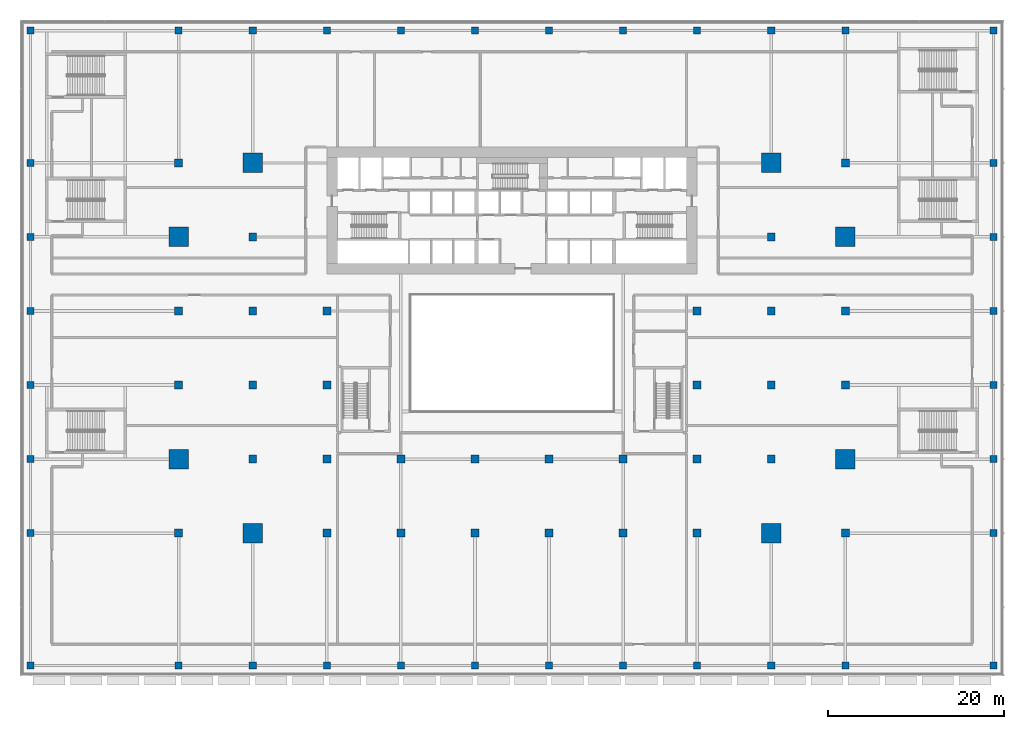
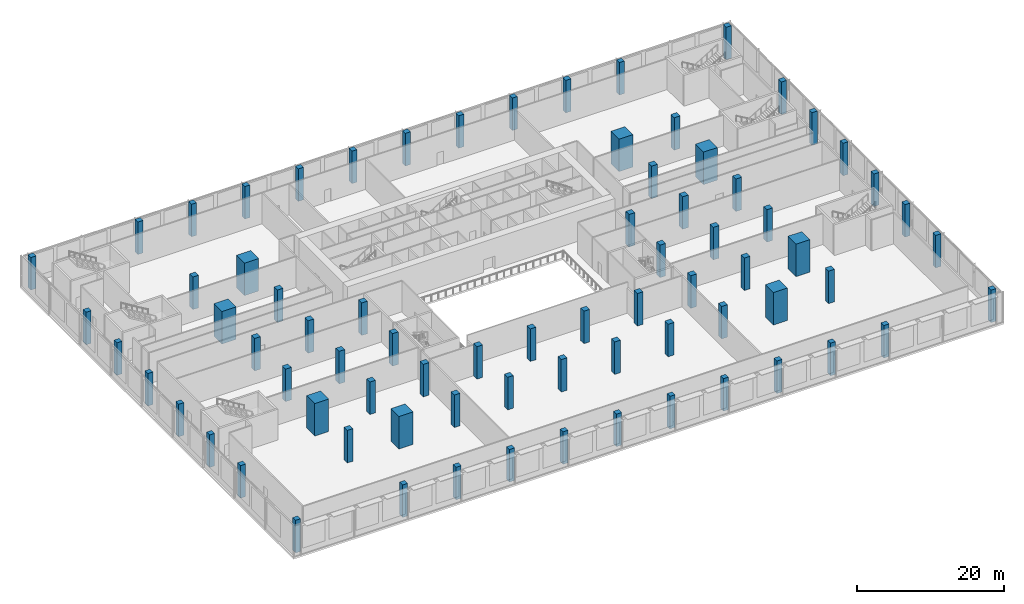
# One storey, part 1 of 39: 76 columns.
"""IFC4 building model written with IfcOpenShell, lengths in metres."""

from ifc_helpers import new_model, si_unit, direction, frame, origin, origin_2d, place, context, subcontext, project, spatial, rectangle, extrude, material, material_profile, profile_set, type_object, element, save


model = new_model("IFC4")

# Units and contexts
model_context = context("Model", 3, precision=1e-05, world=origin(), true_north=direction((0.0, 1.0)))
body_context = subcontext(model_context, "Body", "Model", "MODEL_VIEW")
ifc_project = project(units=[si_unit("LENGTHUNIT", "METRE"), si_unit("AREAUNIT", "SQUARE_METRE"), si_unit("VOLUMEUNIT", "CUBIC_METRE"), si_unit("PLANEANGLEUNIT", "RADIAN"), si_unit("MASSUNIT", "GRAM", prefix="KILO")], contexts=[model_context])

# Site, building, storey
site_placement = place(None, origin())
site = spatial("IfcSite", under=ifc_project, at=site_placement, CompositionType="ELEMENT")
building_placement = place(site_placement, origin())
building = spatial("IfcBuilding", under=site, at=building_placement, Name="Saffron Gate Tower", CompositionType="ELEMENT")
storey_placement = place(building_placement, frame((0.0, 0.0, 9.0)))
storey = spatial("IfcBuildingStorey", under=building, at=storey_placement, Name="L01", CompositionType="ELEMENT", Elevation=9.0)

# Columns
ifc_material_1 = material(Name="Concrete C50", Category="concrete")
ifc_material_profile_1 = material_profile(ifc_material_1, rectangle(XDim=0.800048828125, YDim=0.800048828125, at=origin_2d()))
ifc_profile_set_1 = profile_set([ifc_material_profile_1], Name="Concrete C50")
column_type_1 = type_object("IfcColumnType", Name="C4 RC 800x800 CONCRETE C50", PredefinedType="COLUMN", material=ifc_profile_set_1)
for number, where, z_axis, x_axis, name in (
    (1, (33.0, 16.800048828125, 0.0), (0.0, 0.0, 1.0), (1.0, 0.0, 0.0), "C4 COLUMN RS01"),
    (2, (33.0, 88.800048828125, 0.0), (0.0, 0.0, 1.0), (1.0, 0.0, 0.0), "C4 COLUMN RN01"),
    (3, (49.800048828125, 16.800048828125, 0.0), (0.0, 0.0, 1.0), (1.0, 0.0, 0.0), "C4 COLUMN RS02"),
    (4, (49.800048828125, 88.800048828125, 0.0), (0.0, 0.0, 1.0), (1.0, 0.0, 0.0), "C4 COLUMN RN02"),
    (5, (58.199951171875, 16.800048828125, 0.0), (0.0, 0.0, 1.0), (1.0, 0.0, 0.0), "C4 COLUMN RS03"),
    (6, (58.199951171875, 88.800048828125, 0.0), (0.0, 0.0, 1.0), (1.0, 0.0, 0.0), "C4 COLUMN RN03"),
    (7, (66.60009765625, 16.800048828125, 0.0), (0.0, 0.0, 1.0), (1.0, 0.0, 0.0), "C4 COLUMN RS04"),
    (8, (66.60009765625, 88.800048828125, 0.0), (0.0, 0.0, 1.0), (1.0, 0.0, 0.0), "C4 COLUMN RN04"),
    (9, (75.0, 16.800048828125, 0.0), (0.0, 0.0, 1.0), (1.0, 0.0, 0.0), "C4 COLUMN RS05"),
    (10, (75.0, 88.800048828125, 0.0), (0.0, 0.0, 1.0), (1.0, 0.0, 0.0), "C4 COLUMN RN05"),
    (11, (83.39990234375, 16.800048828125, 0.0), (0.0, 0.0, 1.0), (1.0, 0.0, 0.0), "C4 COLUMN RS06"),
    (12, (83.39990234375, 88.800048828125, 0.0), (0.0, 0.0, 1.0), (1.0, 0.0, 0.0), "C4 COLUMN RN06"),
    (13, (91.800048828125, 16.800048828125, 0.0), (0.0, 0.0, 1.0), (1.0, 0.0, 0.0), "C4 COLUMN RS07"),
    (14, (91.800048828125, 88.800048828125, 0.0), (0.0, 0.0, 1.0), (1.0, 0.0, 0.0), "C4 COLUMN RN07"),
    (15, (100.199951171875, 16.800048828125, 0.0), (0.0, 0.0, 1.0), (1.0, 0.0, 0.0), "C4 COLUMN RS08"),
    (16, (100.199951171875, 88.800048828125, 0.0), (0.0, 0.0, 1.0), (1.0, 0.0, 0.0), "C4 COLUMN RN08"),
    (17, (108.60009765625, 16.800048828125, 0.0), (0.0, 0.0, 1.0), (1.0, 0.0, 0.0), "C4 COLUMN RS09"),
    (18, (108.60009765625, 88.800048828125, 0.0), (0.0, 0.0, 1.0), (1.0, 0.0, 0.0), "C4 COLUMN RN09"),
    (19, (117.0, 16.800048828125, 0.0), (0.0, 0.0, 1.0), (1.0, 0.0, 0.0), "C4 COLUMN RS10"),
    (20, (117.0, 88.800048828125, 0.0), (0.0, 0.0, 1.0), (1.0, 0.0, 0.0), "C4 COLUMN RN10"),
    (21, (125.39990234375, 16.800048828125, 0.0), (0.0, 0.0, 1.0), (1.0, 0.0, 0.0), "C4 COLUMN RS11"),
    (22, (125.39990234375, 88.800048828125, 0.0), (0.0, 0.0, 1.0), (1.0, 0.0, 0.0), "C4 COLUMN RN11"),
    (23, (142.199951171875, 16.800048828125, 0.0), (0.0, 0.0, 1.0), (1.0, 0.0, 0.0), "C4 COLUMN RS12"),
    (24, (142.199951171875, 88.800048828125, 0.0), (0.0, 0.0, 1.0), (1.0, 0.0, 0.0), "C4 COLUMN RN12"),
    (25, (33.0, 31.800048828125, 0.0), (0.0, 0.0, 1.0), (1.0, 0.0, 0.0), "C4 COLUMN RW01"),
    (26, (142.199951171875, 31.800048828125, 0.0), (0.0, 0.0, 1.0), (1.0, 0.0, 0.0), "C4 COLUMN RE01"),
    (27, (33.0, 40.199951171875, 0.0), (0.0, 0.0, 1.0), (1.0, 0.0, 0.0), "C4 COLUMN RW02"),
    (28, (142.199951171875, 40.199951171875, 0.0), (0.0, 0.0, 1.0), (1.0, 0.0, 0.0), "C4 COLUMN RE02"),
    (29, (33.0, 48.60009765625, 0.0), (0.0, 0.0, 1.0), (1.0, 0.0, 0.0), "C4 COLUMN RW03"),
    (30, (142.199951171875, 48.60009765625, 0.0), (0.0, 0.0, 1.0), (1.0, 0.0, 0.0), "C4 COLUMN RE03"),
    (31, (33.0, 57.0, 0.0), (0.0, 0.0, 1.0), (1.0, 0.0, 0.0), "C4 COLUMN RW04"),
    (32, (142.199951171875, 57.0, 0.0), (0.0, 0.0, 1.0), (1.0, 0.0, 0.0), "C4 COLUMN RE04"),
    (33, (33.0, 65.39990234375, 0.0), (0.0, 0.0, 1.0), (1.0, 0.0, 0.0), "C4 COLUMN RW05"),
    (34, (142.199951171875, 65.39990234375, 0.0), (0.0, 0.0, 1.0), (1.0, 0.0, 0.0), "C4 COLUMN RE05"),
    (35, (33.0, 73.800048828125, 0.0), (0.0, 0.0, 1.0), (1.0, 0.0, 0.0), "C4 COLUMN RW06"),
    (36, (142.199951171875, 73.800048828125, 0.0), (0.0, 0.0, 1.0), (1.0, 0.0, 0.0), "C4 COLUMN RE06"),
):
    element("IfcColumn", number, at=place(storey_placement, frame(where, z_axis=z_axis, x_axis=x_axis)), inside=storey, type_object=column_type_1, Name=name, PredefinedType="COLUMN", context=body_context, shape_type="SweptSolid", body=[
        extrude(rectangle(XDim=0.800048828125, YDim=0.800048828125, at=origin_2d()), origin(), (0.0, 0.0, 1.0), 5.39990234375),
    ])
ifc_material_2 = material(Name="Concrete C60", Category="concrete")
ifc_material_profile_2 = material_profile(ifc_material_2, rectangle(XDim=0.89990234375, YDim=0.89990234375, at=origin_2d()))
ifc_profile_set_2 = profile_set([ifc_material_profile_2], Name="Concrete C60")
column_type_2 = type_object("IfcColumnType", Name="C6 RC 900x900 CONCRETE C60", PredefinedType="COLUMN", material=ifc_profile_set_2)
for number, where, z_axis, x_axis, name in (
    (37, (49.800048828125, 31.800048828125, 0.0), (0.0, 0.0, 1.0), (1.0, 0.0, 0.0), "C6 COLUMN X1-A"),
    (38, (49.800048828125, 48.60009765625, 0.0), (0.0, 0.0, 1.0), (1.0, 0.0, 0.0), "C6 COLUMN X1-C"),
    (39, (49.800048828125, 57.0, 0.0), (0.0, 0.0, 1.0), (1.0, 0.0, 0.0), "C6 COLUMN X1-D"),
    (40, (49.800048828125, 73.800048828125, 0.0), (0.0, 0.0, 1.0), (1.0, 0.0, 0.0), "C6 COLUMN X1-F"),
    (41, (58.199951171875, 40.199951171875, 0.0), (0.0, 0.0, 1.0), (1.0, 0.0, 0.0), "C6 COLUMN X2-B"),
    (42, (58.199951171875, 48.60009765625, 0.0), (0.0, 0.0, 1.0), (1.0, 0.0, 0.0), "C6 COLUMN X2-C"),
    (43, (58.199951171875, 57.0, 0.0), (0.0, 0.0, 1.0), (1.0, 0.0, 0.0), "C6 COLUMN X2-D"),
    (44, (58.199951171875, 65.39990234375, 0.0), (0.0, 0.0, 1.0), (1.0, 0.0, 0.0), "C6 COLUMN X2-E"),
    (45, (66.60009765625, 31.800048828125, 0.0), (0.0, 0.0, 1.0), (1.0, 0.0, 0.0), "C6 COLUMN X3-A"),
    (46, (66.60009765625, 40.199951171875, 0.0), (0.0, 0.0, 1.0), (1.0, 0.0, 0.0), "C6 COLUMN X3-B"),
    (47, (66.60009765625, 48.60009765625, 0.0), (0.0, 0.0, 1.0), (1.0, 0.0, 0.0), "C6 COLUMN X3-C"),
    (48, (66.60009765625, 57.0, 0.0), (0.0, 0.0, 1.0), (1.0, 0.0, 0.0), "C6 COLUMN X3-D"),
    (49, (75.0, 31.800048828125, 0.0), (0.0, 0.0, 1.0), (1.0, 0.0, 0.0), "C6 COLUMN X4-A"),
    (50, (75.0, 40.199951171875, 0.0), (0.0, 0.0, 1.0), (1.0, 0.0, 0.0), "C6 COLUMN X4-B"),
    (51, (83.39990234375, 31.800048828125, 0.0), (0.0, 0.0, 1.0), (1.0, 0.0, 0.0), "C6 COLUMN X5-A"),
    (52, (83.39990234375, 40.199951171875, 0.0), (0.0, 0.0, 1.0), (1.0, 0.0, 0.0), "C6 COLUMN X5-B"),
    (53, (91.800048828125, 31.800048828125, 0.0), (0.0, 0.0, 1.0), (1.0, 0.0, 0.0), "C6 COLUMN X6-A"),
    (54, (91.800048828125, 40.199951171875, 0.0), (0.0, 0.0, 1.0), (1.0, 0.0, 0.0), "C6 COLUMN X6-B"),
    (55, (100.199951171875, 31.800048828125, 0.0), (0.0, 0.0, 1.0), (1.0, 0.0, 0.0), "C6 COLUMN X7-A"),
    (56, (100.199951171875, 40.199951171875, 0.0), (0.0, 0.0, 1.0), (1.0, 0.0, 0.0), "C6 COLUMN X7-B"),
    (57, (108.60009765625, 31.800048828125, 0.0), (0.0, 0.0, 1.0), (1.0, 0.0, 0.0), "C6 COLUMN X8-A"),
    (58, (108.60009765625, 40.199951171875, 0.0), (0.0, 0.0, 1.0), (1.0, 0.0, 0.0), "C6 COLUMN X8-B"),
    (59, (108.60009765625, 48.60009765625, 0.0), (0.0, 0.0, 1.0), (1.0, 0.0, 0.0), "C6 COLUMN X8-C"),
    (60, (108.60009765625, 57.0, 0.0), (0.0, 0.0, 1.0), (1.0, 0.0, 0.0), "C6 COLUMN X8-D"),
    (61, (117.0, 40.199951171875, 0.0), (0.0, 0.0, 1.0), (1.0, 0.0, 0.0), "C6 COLUMN X9-B"),
    (62, (117.0, 48.60009765625, 0.0), (0.0, 0.0, 1.0), (1.0, 0.0, 0.0), "C6 COLUMN X9-C"),
    (63, (117.0, 57.0, 0.0), (0.0, 0.0, 1.0), (1.0, 0.0, 0.0), "C6 COLUMN X9-D"),
    (64, (117.0, 65.39990234375, 0.0), (0.0, 0.0, 1.0), (1.0, 0.0, 0.0), "C6 COLUMN X9-E"),
    (65, (125.39990234375, 31.800048828125, 0.0), (0.0, 0.0, 1.0), (1.0, 0.0, 0.0), "C6 COLUMN X10-A"),
    (66, (125.39990234375, 48.60009765625, 0.0), (0.0, 0.0, 1.0), (1.0, 0.0, 0.0), "C6 COLUMN X10-C"),
    (67, (125.39990234375, 57.0, 0.0), (0.0, 0.0, 1.0), (1.0, 0.0, 0.0), "C6 COLUMN X10-D"),
    (68, (125.39990234375, 73.800048828125, 0.0), (0.0, 0.0, 1.0), (1.0, 0.0, 0.0), "C6 COLUMN X10-F"),
):
    element("IfcColumn", number, at=place(storey_placement, frame(where, z_axis=z_axis, x_axis=x_axis)), inside=storey, type_object=column_type_2, Name=name, PredefinedType="COLUMN", context=body_context, shape_type="SweptSolid", body=[
        extrude(rectangle(XDim=0.89990234375, YDim=0.89990234375, at=origin_2d()), origin(), (0.0, 0.0, 1.0), 5.39990234375),
    ])
ifc_material_3 = material(Name="Concrete C80", Category="concrete")
ifc_material_profile_3 = material_profile(ifc_material_3, rectangle(XDim=2.199951171875, YDim=2.199951171875, at=origin_2d()))
ifc_profile_set_3 = profile_set([ifc_material_profile_3], Name="Concrete C80")
column_type_3 = type_object("IfcColumnType", Name="MC4 RC 2200x2200 CONCRETE C80", PredefinedType="COLUMN", material=ifc_profile_set_3)
for number, where, z_axis, x_axis, name in (
    (69, (49.800048828125, 40.199951171875, 0.0), (0.0, 0.0, 1.0), (1.0, 0.0, 0.0), "MC4 MEGA COLUMN X1-B"),
    (70, (49.800048828125, 65.39990234375, 0.0), (0.0, 0.0, 1.0), (1.0, 0.0, 0.0), "MC4 MEGA COLUMN X1-E"),
    (71, (58.199951171875, 31.800048828125, 0.0), (0.0, 0.0, 1.0), (1.0, 0.0, 0.0), "MC4 MEGA COLUMN X2-A"),
    (72, (58.199951171875, 73.800048828125, 0.0), (0.0, 0.0, 1.0), (1.0, 0.0, 0.0), "MC4 MEGA COLUMN X2-F"),
    (73, (117.0, 31.800048828125, 0.0), (0.0, 0.0, 1.0), (1.0, 0.0, 0.0), "MC4 MEGA COLUMN X9-A"),
    (74, (117.0, 73.800048828125, 0.0), (0.0, 0.0, 1.0), (1.0, 0.0, 0.0), "MC4 MEGA COLUMN X9-F"),
    (75, (125.39990234375, 40.199951171875, 0.0), (0.0, 0.0, 1.0), (1.0, 0.0, 0.0), "MC4 MEGA COLUMN X10-B"),
    (76, (125.39990234375, 65.39990234375, 0.0), (0.0, 0.0, 1.0), (1.0, 0.0, 0.0), "MC4 MEGA COLUMN X10-E"),
):
    element("IfcColumn", number, at=place(storey_placement, frame(where, z_axis=z_axis, x_axis=x_axis)), inside=storey, type_object=column_type_3, Name=name, PredefinedType="COLUMN", context=body_context, shape_type="SweptSolid", body=[
        extrude(rectangle(XDim=2.199951171875, YDim=2.199951171875, at=origin_2d()), origin(), (0.0, 0.0, 1.0), 5.39990234375),
    ])

save(model, "model.ifc")
